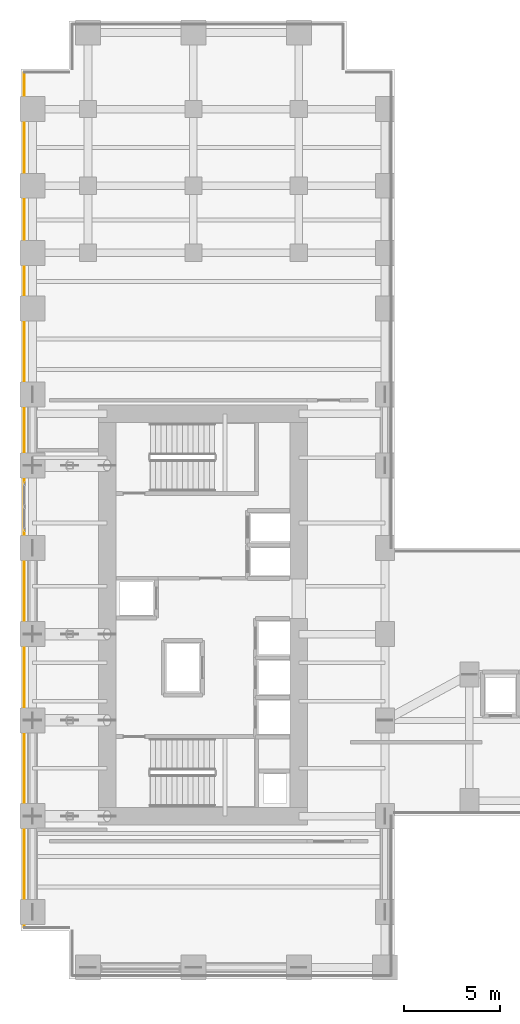
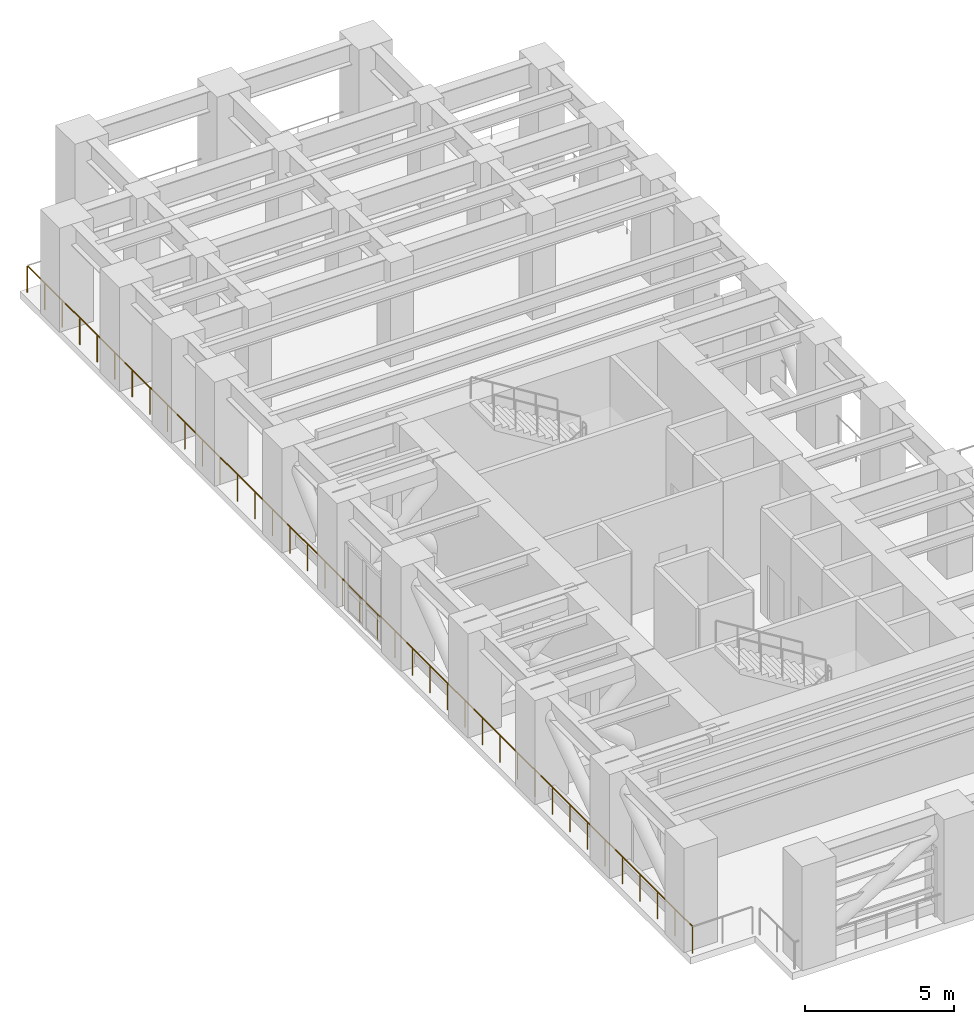
# One storey, part 13 of 16: 1 railing.
"""IFC4 building model written with IfcOpenShell, lengths in metres."""

import ifcopenshell
import ifcopenshell.guid

model = None  # the IFC model being written
_history = None  # IfcOwnerHistory: only IFC2X3 demands one
_inside = {}  # id of a spatial element -> (the spatial element, [elements in it])
_under = {}  # id of a project, library or spatial element -> (it, [spatial elements below it])
_declared = {}  # id of a project -> (the project, [libraries it declares])
_typed = {}  # id of a type object -> (the type object, [elements of that type])
_made_of = {}  # id of a material, layer set ... -> (it, [elements and type objects made of it])


def new_model(schema):
    """Start an empty IFC model of exactly this schema.

    Asked for "IFC4X3", IfcOpenShell would pick the latest addendum, in which some entities
    have other attributes; the version numbers below select the first issue.
    IFC2X3 requires an IfcOwnerHistory on every rooted entity: one is made here for all.
    """
    global model, _history
    if schema == "IFC4X3":
        model = ifcopenshell.file(schema_version=(4, 3, 0, 0))
    else:
        model = ifcopenshell.file(schema=schema)
    _inside.clear()
    _under.clear()
    _declared.clear()
    _typed.clear()
    _made_of.clear()
    _history = None
    if model.schema == "IFC2X3":
        org = make("IfcOrganization", Name="unknown")
        user = make(
            "IfcPersonAndOrganization",
            ThePerson=make("IfcPerson", FamilyName="unknown"),
            TheOrganization=org,
        )
        app = make(
            "IfcApplication",
            ApplicationDeveloper=org,
            Version="unknown",
            ApplicationFullName="unknown",
            ApplicationIdentifier="unknown",
        )
        _history = make(
            "IfcOwnerHistory",
            OwningUser=user,
            OwningApplication=app,
            ChangeAction="ADDED",
            CreationDate=0,
        )
    return model


def make(cls, **values):
    """One entity of the class cls with the attributes given. An attribute that is None is left unset."""
    return model.create_entity(
        cls, **{name: value for name, value in values.items() if value is not None}
    )


def rooted(cls, **values):
    """An entity with a GlobalId (a new one), such as an element, a storey or a relation."""
    return make(cls, GlobalId=ifcopenshell.guid.new(), OwnerHistory=_history, **values)


def si_unit(unit_type, name, prefix=None):
    """IfcSIUnit, for example si_unit("LENGTHUNIT", "METRE", prefix="MILLI")."""
    return make("IfcSIUnit", UnitType=unit_type, Prefix=prefix, Name=name)


def assignment(units):
    """IfcUnitAssignment: the units of a project."""
    return None if units is None else make("IfcUnitAssignment", Units=units)


def point(xyz):
    """IfcCartesianPoint."""
    return None if xyz is None else make("IfcCartesianPoint", Coordinates=xyz)


def direction(xyz):
    """IfcDirection."""
    return None if xyz is None else make("IfcDirection", DirectionRatios=xyz)


def frame(location, z_axis=None, x_axis=None):
    """IfcAxis2Placement3D, a coordinate frame: its origin and axes. An axis left out is left unset."""
    return make(
        "IfcAxis2Placement3D",
        Location=point(location),
        Axis=direction(z_axis),
        RefDirection=direction(x_axis),
    )


def frame_2d(location, x_axis=None):
    """IfcAxis2Placement2D, a coordinate frame in the plane: its origin and x axis."""
    return make(
        "IfcAxis2Placement2D", Location=point(location), RefDirection=direction(x_axis)
    )


def origin():
    """The frame at (0, 0, 0) with its axes left unset."""
    return frame((0.0, 0.0, 0.0))


def origin_2d():
    """The frame at (0, 0) in the plane with its x axis left unset."""
    return frame_2d((0.0, 0.0))


def place(relative_to, where):
    """IfcLocalPlacement: puts the frame where relative to a parent placement (None: the world)."""
    return make(
        "IfcLocalPlacement", PlacementRelTo=relative_to, RelativePlacement=where
    )


def context(
    kind, dimensions, precision=None, world=None, true_north=None, identifier=None
):
    """IfcGeometricRepresentationContext, for example the 3D "Model" context."""
    return make(
        "IfcGeometricRepresentationContext",
        ContextIdentifier=identifier,
        ContextType=kind,
        CoordinateSpaceDimension=dimensions,
        Precision=precision,
        WorldCoordinateSystem=world,
        TrueNorth=true_north,
    )


def subcontext(parent, identifier, kind, view, scale=None):
    """IfcGeometricRepresentationSubContext, for example "Body" below "Model"."""
    return make(
        "IfcGeometricRepresentationSubContext",
        ContextIdentifier=identifier,
        ContextType=kind,
        ParentContext=parent,
        TargetScale=scale,
        TargetView=view,
    )


def project(units=None, contexts=None):
    """IfcProject with its units and contexts."""
    return rooted(
        "IfcProject",
        Name="project",
        RepresentationContexts=contexts,
        UnitsInContext=assignment(units),
    )


def spatial(cls, under=None, at=None, **own):
    """A site, building, storey or space (cls), placed at a placement, below another one or the project."""
    s = rooted(cls, ObjectPlacement=at, **own)
    if under is not None:
        _under.setdefault(under.id(), (under, []))[1].append(s)
    return s


def profile(cls, at=None, kind="AREA", **sizes):
    """A parametric profile (cls). Its sizes go by their IFC names, for example OverallWidth=200.0."""
    return make(cls, ProfileType=kind, Position=at, **sizes)


def circle(**sizes):
    """IfcCircleProfileDef."""
    return profile("IfcCircleProfileDef", **sizes)


def extrude(swept, where, along, depth):
    """IfcExtrudedAreaSolid: the profile swept, set in the frame where, extruded along a direction by depth."""
    return make(
        "IfcExtrudedAreaSolid",
        SweptArea=swept,
        Position=where,
        ExtrudedDirection=direction(along),
        Depth=depth,
    )


def shape(context_of_items, identifier, shape_type, items):
    """IfcShapeRepresentation: the items that make up one representation, for example the "Body"."""
    return make(
        "IfcShapeRepresentation",
        ContextOfItems=context_of_items,
        RepresentationIdentifier=identifier,
        RepresentationType=shape_type,
        Items=items,
    )


def source(mapping_origin, context_of_items, identifier, shape_type, items):
    """IfcRepresentationMap: a shape defined once, which mapped items show again and again."""
    return make(
        "IfcRepresentationMap",
        MappingOrigin=mapping_origin,
        MappedRepresentation=shape(context_of_items, identifier, shape_type, items),
    )


def transform(
    local_origin,
    x_axis=None,
    y_axis=None,
    z_axis=None,
    scale=None,
    scale2=None,
    scale3=None,
    uniform=True,
):
    """IfcCartesianTransformationOperator3D, or its non-uniform kind. x_axis, y_axis, z_axis: its Axis1, 2, 3."""
    if uniform:
        return make(
            "IfcCartesianTransformationOperator3D",
            Axis1=direction(x_axis),
            Axis2=direction(y_axis),
            LocalOrigin=point(local_origin),
            Scale=scale,
            Axis3=direction(z_axis),
        )
    return make(
        "IfcCartesianTransformationOperator3DnonUniform",
        Axis1=direction(x_axis),
        Axis2=direction(y_axis),
        LocalOrigin=point(local_origin),
        Scale=scale,
        Axis3=direction(z_axis),
        Scale2=scale2,
        Scale3=scale3,
    )


def mapped(mapping_source, mapping_target):
    """IfcMappedItem: shows the shape of a source again, moved by a transform."""
    return make(
        "IfcMappedItem", MappingSource=mapping_source, MappingTarget=mapping_target
    )


def material(Name=None, Category=None):
    """IfcMaterial."""
    return make("IfcMaterial", Name=Name, Category=Category)


def layer(
    of_material, thickness, ventilated=None, Name=None, Category=None, Priority=None
):
    """IfcMaterialLayer: one layer of a wall or slab, of a material (None: an air gap)."""
    return make(
        "IfcMaterialLayer",
        Material=of_material,
        LayerThickness=thickness,
        IsVentilated=ventilated,
        Name=Name,
        Category=Category,
        Priority=Priority,
    )


def layer_set(layers, Name=None):
    """IfcMaterialLayerSet."""
    return make("IfcMaterialLayerSet", MaterialLayers=layers, LayerSetName=Name)


def made_of(thing, what):
    """Note that an element or type object is made of a material, layer set ...; save() writes the relation."""
    if what is not None:
        _made_of.setdefault(what.id(), (what, []))[1].append(thing)
    return thing


def type_object(cls, material=None, **own):
    """A type object (cls), such as IfcWallType, which elements share."""
    return made_of(rooted(cls, **own), material)


def element(
    cls,
    number,
    at=None,
    inside=None,
    cuts=None,
    type_object=None,
    material=None,
    context=None,
    identifier="Body",
    shape_type=None,
    held_by="IfcProductDefinitionShape",
    body=None,
    shapes=None,
    **own,
):
    """One element of the class cls, such as IfcWall. Its Tag is "e" and its number.

    at: its placement. inside: the storey or other place that contains it. cuts: it is an
    opening in that element (IfcRelVoidsElement). A single representation is given by context,
    identifier, shape_type and body (its items); several are given by shapes. held_by: the class
    of the entity that holds the representations. save() writes the other relations.
    """
    e = rooted(cls, Tag="e%d" % number, ObjectPlacement=at, **own)
    if body is not None:
        shapes = [shape(context, identifier, shape_type, body)]
    if shapes is not None:
        e.Representation = make(held_by, Representations=shapes)
    if inside is not None:
        _inside.setdefault(inside.id(), (inside, []))[1].append(e)
    if cuts is not None:
        rooted(
            "IfcRelVoidsElement", RelatingBuildingElement=cuts, RelatedOpeningElement=e
        )
    if type_object is not None:
        _typed.setdefault(type_object.id(), (type_object, []))[1].append(e)
    return made_of(e, material)


def aggregate(whole, parts):
    """IfcRelAggregates: a whole, such as a stair, and the parts it consists of."""
    return rooted("IfcRelAggregates", RelatingObject=whole, RelatedObjects=parts)


def save(model, path):
    """Write the relations noted so far, then the file.

    IfcRelAggregates (storeys below a building ...), IfcRelContainedInSpatialStructure (elements
    in a storey), IfcRelDefinesByType, IfcRelAssociatesMaterial and IfcRelDeclares: one each for
    every whole, place, type object, material and project.
    """
    for whole, parts in _under.values():
        aggregate(whole, parts)
    for where, things in _inside.values():
        rooted(
            "IfcRelContainedInSpatialStructure",
            RelatedElements=things,
            RelatingStructure=where,
        )
    for kind, things in _typed.values():
        rooted("IfcRelDefinesByType", RelatedObjects=things, RelatingType=kind)
    for what, things in _made_of.values():
        rooted("IfcRelAssociatesMaterial", RelatedObjects=things, RelatingMaterial=what)
    for by, libraries in _declared.values():
        rooted("IfcRelDeclares", RelatingContext=by, RelatedDefinitions=libraries)
    model.write(path)


model = new_model("IFC4")

# Units and contexts
model_context = context("Model", 3, precision=1e-05, world=origin(), true_north=direction((0.0, 1.0)))
body_context = subcontext(model_context, "Body", "Model", "MODEL_VIEW")
ifc_project = project(units=[si_unit("LENGTHUNIT", "METRE"), si_unit("AREAUNIT", "SQUARE_METRE"), si_unit("VOLUMEUNIT", "CUBIC_METRE"), si_unit("PLANEANGLEUNIT", "RADIAN"), si_unit("MASSUNIT", "GRAM", prefix="KILO")], contexts=[model_context])

# Site, building, storey
site_placement = place(None, origin())
site = spatial("IfcSite", under=ifc_project, at=site_placement, CompositionType="ELEMENT")
building_placement = place(site_placement, origin())
building = spatial("IfcBuilding", under=site, at=building_placement, Name="Kharzan Plaza Tower", CompositionType="ELEMENT")
storey_placement = place(building_placement, frame((0.0, 0.0, 72.89990234375)))
storey = spatial("IfcBuildingStorey", under=building, at=storey_placement, Name="L19", CompositionType="ELEMENT", Elevation=72.89990234375)

# Railing
ifc_material = material(Name="Painted Galvanized Architectural Steel", Category="steel")
ifc_layer = layer(ifc_material, 0.074951171875)
ifc_layer_set = layer_set([ifc_layer], Name="Painted Galvanized Architectural Steel")
railing_type = type_object("IfcRailingType", Name="RL-GUARD-1120", PredefinedType="BALUSTRADE", material=ifc_layer_set)
shared_shape = source(origin(), body_context, "Body", "SweptSolid", [
    extrude(circle(Radius=0.02392578125, at=origin_2d()), frame((0.0, 0.0263671875, 1.09619140625), z_axis=(0.0, 1.0, 0.0), x_axis=(-1.0, 0.0, 0.0)), (0.0, 0.0, 1.0), 44.587158203125),
    extrude(circle(Radius=0.02099609375, at=origin_2d()), origin(), (0.0, 0.0, 1.0), 1.072021484375),
    extrude(circle(Radius=0.02099609375, at=origin_2d()), frame((0.0, 1.1748046875, 0.0)), (0.0, 0.0, 1.0), 1.072021484375),
    extrude(circle(Radius=0.02099609375, at=origin_2d()), frame((0.0, 2.349365234375, 0.0)), (0.0, 0.0, 1.0), 1.072021484375),
    extrude(circle(Radius=0.02099609375, at=origin_2d()), frame((0.0, 3.524169921875, 0.0)), (0.0, 0.0, 1.0), 1.072021484375),
    extrude(circle(Radius=0.02099609375, at=origin_2d()), frame((0.0, 4.698974609375, 0.0)), (0.0, 0.0, 1.0), 1.072021484375),
    extrude(circle(Radius=0.02099609375, at=origin_2d()), frame((0.0, 5.873779296875, 0.0)), (0.0, 0.0, 1.0), 1.072021484375),
    extrude(circle(Radius=0.02099609375, at=origin_2d()), frame((0.0, 7.04833984375, 0.0)), (0.0, 0.0, 1.0), 1.072021484375),
    extrude(circle(Radius=0.02099609375, at=origin_2d()), frame((0.0, 8.22314453125, 0.0)), (0.0, 0.0, 1.0), 1.072021484375),
    extrude(circle(Radius=0.02099609375, at=origin_2d()), frame((0.0, 9.39794921875, 0.0)), (0.0, 0.0, 1.0), 1.072021484375),
    extrude(circle(Radius=0.02099609375, at=origin_2d()), frame((0.0, 10.57275390625, 0.0)), (0.0, 0.0, 1.0), 1.072021484375),
    extrude(circle(Radius=0.02099609375, at=origin_2d()), frame((0.0, 11.747314453125, 0.0)), (0.0, 0.0, 1.0), 1.072021484375),
    extrude(circle(Radius=0.02099609375, at=origin_2d()), frame((0.0, 12.922119140625, 0.0)), (0.0, 0.0, 1.0), 1.072021484375),
    extrude(circle(Radius=0.02099609375, at=origin_2d()), frame((0.0, 14.096923828125, 0.0)), (0.0, 0.0, 1.0), 1.072021484375),
    extrude(circle(Radius=0.02099609375, at=origin_2d()), frame((0.0, 15.271728515625, 0.0)), (0.0, 0.0, 1.0), 1.072021484375),
    extrude(circle(Radius=0.02099609375, at=origin_2d()), frame((0.0, 16.4462890625, 0.0)), (0.0, 0.0, 1.0), 1.072021484375),
    extrude(circle(Radius=0.02099609375, at=origin_2d()), frame((0.0, 17.62109375, 0.0)), (0.0, 0.0, 1.0), 1.072021484375),
    extrude(circle(Radius=0.02099609375, at=origin_2d()), frame((0.0, 18.7958984375, 0.0)), (0.0, 0.0, 1.0), 1.072021484375),
    extrude(circle(Radius=0.02099609375, at=origin_2d()), frame((0.0, 19.970703125, 0.0)), (0.0, 0.0, 1.0), 1.072021484375),
    extrude(circle(Radius=0.02099609375, at=origin_2d()), frame((0.0, 21.145263671875, 0.0)), (0.0, 0.0, 1.0), 1.072021484375),
    extrude(circle(Radius=0.02099609375, at=origin_2d()), frame((0.0, 22.320068359375, 0.0)), (0.0, 0.0, 1.0), 1.072021484375),
    extrude(circle(Radius=0.02099609375, at=origin_2d()), frame((0.0, 23.494873046875, 0.0)), (0.0, 0.0, 1.0), 1.072021484375),
    extrude(circle(Radius=0.02099609375, at=origin_2d()), frame((0.0, 24.66943359375, 0.0)), (0.0, 0.0, 1.0), 1.072021484375),
    extrude(circle(Radius=0.02099609375, at=origin_2d()), frame((0.0, 25.84423828125, 0.0)), (0.0, 0.0, 1.0), 1.072021484375),
    extrude(circle(Radius=0.02099609375, at=origin_2d()), frame((0.0, 27.01904296875, 0.0)), (0.0, 0.0, 1.0), 1.072021484375),
    extrude(circle(Radius=0.02099609375, at=origin_2d()), frame((0.0, 28.19384765625, 0.0)), (0.0, 0.0, 1.0), 1.072021484375),
    extrude(circle(Radius=0.02099609375, at=origin_2d()), frame((0.0, 29.368408203125, 0.0)), (0.0, 0.0, 1.0), 1.072021484375),
    extrude(circle(Radius=0.02099609375, at=origin_2d()), frame((0.0, 30.543212890625, 0.0)), (0.0, 0.0, 1.0), 1.072021484375),
    extrude(circle(Radius=0.02099609375, at=origin_2d()), frame((0.0, 31.718017578125, 0.0)), (0.0, 0.0, 1.0), 1.072021484375),
    extrude(circle(Radius=0.02099609375, at=origin_2d()), frame((0.0, 32.892822265625, 0.0)), (0.0, 0.0, 1.0), 1.072021484375),
    extrude(circle(Radius=0.02099609375, at=origin_2d()), frame((0.0, 34.0673828125, 0.0)), (0.0, 0.0, 1.0), 1.072021484375),
    extrude(circle(Radius=0.02099609375, at=origin_2d()), frame((0.0, 35.2421875, 0.0)), (0.0, 0.0, 1.0), 1.072021484375),
    extrude(circle(Radius=0.02099609375, at=origin_2d()), frame((0.0, 36.4169921875, 0.0)), (0.0, 0.0, 1.0), 1.072021484375),
    extrude(circle(Radius=0.02099609375, at=origin_2d()), frame((0.0, 37.591796875, 0.0)), (0.0, 0.0, 1.0), 1.072021484375),
    extrude(circle(Radius=0.02099609375, at=origin_2d()), frame((0.0, 38.766357421875, 0.0)), (0.0, 0.0, 1.0), 1.072021484375),
    extrude(circle(Radius=0.02099609375, at=origin_2d()), frame((0.0, 39.941162109375, 0.0)), (0.0, 0.0, 1.0), 1.072021484375),
    extrude(circle(Radius=0.02099609375, at=origin_2d()), frame((0.0, 41.115966796875, 0.0)), (0.0, 0.0, 1.0), 1.072021484375),
    extrude(circle(Radius=0.02099609375, at=origin_2d()), frame((0.0, 42.290771484375, 0.0)), (0.0, 0.0, 1.0), 1.072021484375),
    extrude(circle(Radius=0.02099609375, at=origin_2d()), frame((0.0, 43.46533203125, 0.0)), (0.0, 0.0, 1.0), 1.072021484375),
    extrude(circle(Radius=0.02099609375, at=origin_2d()), frame((0.0, 44.64013671875, 0.0)), (0.0, 0.0, 1.0), 1.072021484375),
])
railing_placement = place(storey_placement, frame((0.179931640625, 2.679931640625, 0.0)))
element("IfcRailing", 1, at=railing_placement, inside=storey, type_object=railing_type, Name="L19 Open Refuge Floor Perimeter Guard 94", PredefinedType="BALUSTRADE", context=body_context, shape_type="MappedRepresentation", body=[
    mapped(shared_shape, transform((0.0, 0.0, 0.0), x_axis=(1.0, 0.0, 0.0), y_axis=(0.0, 1.0, 0.0), z_axis=(0.0, 0.0, 1.0))),
])

save(model, "model.ifc")
